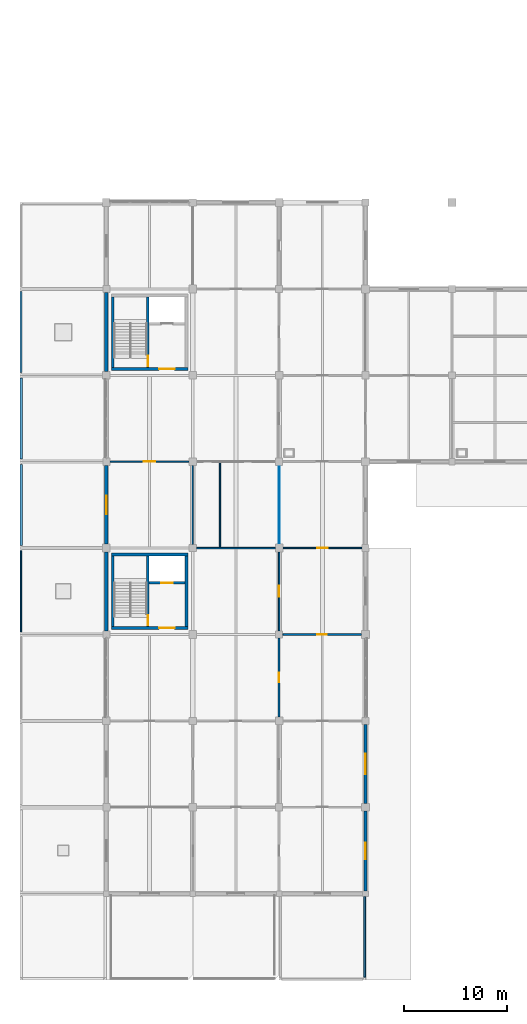
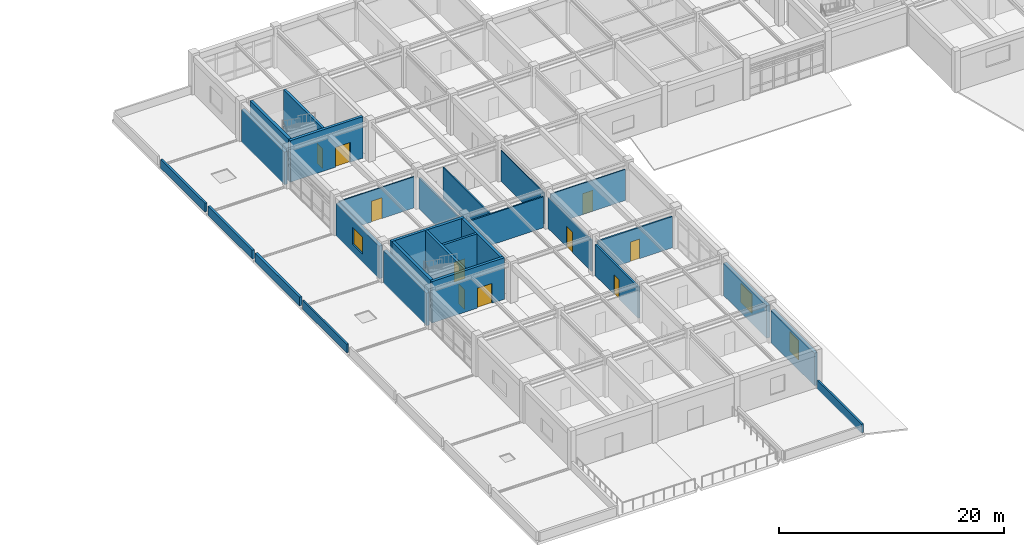
# One storey, part 60 of 78: 28 walls, 10 doors, 3 windows, 13 openings.
"""IFC4 building model written with IfcOpenShell, lengths in metres."""

from ifc_helpers import new_model, si_unit, direction, frame, frame_2d, origin, place, context, subcontext, project, spatial, rectangle, extrude, material, layer, layer_set, type_object, element, fill, save


model = new_model("IFC4")

# Units and contexts
model_context = context("Model", 3, precision=1e-05, world=origin(), true_north=direction((0.0, 1.0)))
body_context = subcontext(model_context, "Body", "Model", "MODEL_VIEW")
ifc_project = project(units=[si_unit("LENGTHUNIT", "METRE"), si_unit("AREAUNIT", "SQUARE_METRE"), si_unit("VOLUMEUNIT", "CUBIC_METRE"), si_unit("PLANEANGLEUNIT", "RADIAN"), si_unit("MASSUNIT", "GRAM", prefix="KILO")], contexts=[model_context])

# Site, building, storey
site_placement = place(None, origin())
site = spatial("IfcSite", under=ifc_project, at=site_placement, CompositionType="ELEMENT")
building_placement = place(site_placement, origin())
building = spatial("IfcBuilding", under=site, at=building_placement, Name="Porcellanite Civic Hall", CompositionType="ELEMENT")
storey_placement = place(building_placement, frame((0.0, 0.0, 10.260009765625)))
storey = spatial("IfcBuildingStorey", under=building, at=storey_placement, Name="L02", CompositionType="ELEMENT", Elevation=10.260009765625)

# Wall, opening, door
ifc_material_1 = material(Name="Concrete N40 (40 MPa)", Category="concrete")
ifc_layer_1 = layer(ifc_material_1, 0.239990234375)
ifc_layer_set_1 = layer_set([ifc_layer_1], Name="Concrete N40 (40 MPa)")
wall_type_1 = type_object("IfcWallType", Name="CW-SH240", PredefinedType="SHEAR", material=ifc_layer_set_1)
wall_1_placement = place(storey_placement, frame((12.43994140625, 34.360107421875, 0.0), z_axis=(0.0, 0.0, 1.0), x_axis=(0.0, 1.0, 0.0)))
wall_1 = element("IfcWall", 1, at=wall_1_placement, inside=storey, type_object=wall_type_1, Name="Core divider C1 L02", PredefinedType="SHEAR", context=body_context, shape_type="SweptSolid", body=[
    extrude(rectangle(XDim=6.8798828125, YDim=0.239990234375, at=frame_2d((3.43994140625, 0.0))), origin(), (0.0, 0.0, 1.0), 4.5),
])
opening_1_placement = place(wall_1_placement, frame((0.1201171875, 0.0, 0.0)))
opening_1 = element("IfcOpeningElement", 2, at=opening_1_placement, cuts=wall_1, Name="Opening FD-C1-L02-ST", PredefinedType="OPENING", context=body_context, shape_type="SweptSolid", body=[
    extrude(rectangle(XDim=1.0, YDim=2.14990234375, at=frame_2d((0.5, 1.074951171875))), frame((0.0, 0.1201171875, 0.0), z_axis=(0.0, -1.0, 0.0), x_axis=(1.0, 0.0, 0.0)), (0.0, 0.0, 1.0), 0.239990234375),
])
ifc_material_2 = material(Name="Fire-rated solid-core hardwood timber", Category="wood")
door_type_1 = type_object("IfcDoorType", Name="DR-FD100", OperationType="NOTDEFINED", PredefinedType="DOOR", material=ifc_material_2)
door_1_placement = place(opening_1_placement, origin())
door_1 = element("IfcDoor", 3, at=door_1_placement, inside=storey, type_object=door_type_1, Name="Fire stair door FD-C1-L02-ST", OperationType="SINGLE_SWING_RIGHT", OverallHeight=2.14990234375, OverallWidth=1.0, PredefinedType="DOOR", context=body_context, shape_type="SweptSolid", body=[
    extrude(rectangle(XDim=1.0, YDim=2.14990234375, at=frame_2d((0.5, 1.074951171875))), frame((0.0, 0.02490234375, 0.0), z_axis=(0.0, -1.0, 0.0), x_axis=(1.0, 0.0, 0.0)), (0.0, 0.0, 1.0), 0.050048828125),
])
fill(opening_1, door_1)

wall_2_placement = place(storey_placement, frame((12.56005859375, 38.6201171875, 0.0), z_axis=(0.0, 0.0, 1.0), x_axis=(1.0, 0.0, 0.0)))
wall_2 = element("IfcWall", 4, at=wall_2_placement, inside=storey, type_object=wall_type_1, Name="Lift shaft wall C1 L02", PredefinedType="SHEAR", context=body_context, shape_type="SweptSolid", body=[
    extrude(rectangle(XDim=3.47998046875, YDim=0.239990234375, at=frame_2d((1.739990234375, 0.0))), origin(), (0.0, 0.0, 1.0), 4.5),
])
opening_2_placement = place(wall_2_placement, frame((1.18994140625, 0.0, 0.0)))
opening_2 = element("IfcOpeningElement", 5, at=opening_2_placement, cuts=wall_2, Name="Opening LD-03", PredefinedType="OPENING", context=body_context, shape_type="SweptSolid", body=[
    extrude(rectangle(XDim=1.10009765625, YDim=2.14990234375, at=frame_2d((0.550048828125, 1.074951171875))), frame((0.0, 0.1201171875, 0.0), z_axis=(0.0, -1.0, 0.0), x_axis=(1.0, 0.0, 0.0)), (0.0, 0.0, 1.0), 0.239990234375),
])
ifc_material_3 = material(Name="Brushed stainless steel 316", Category="steel")
door_type_2 = type_object("IfcDoorType", Name="DR-LD110", OperationType="DOUBLE_DOOR_SLIDING", PredefinedType="DOOR", material=ifc_material_3)
door_2_placement = place(opening_2_placement, origin())
door_2 = element("IfcDoor", 6, at=door_2_placement, inside=storey, type_object=door_type_2, Name="Lift landing sliding door LD-03 L02", OperationType="DOUBLE_DOOR_SLIDING", OverallHeight=2.14990234375, OverallWidth=1.10009765625, PredefinedType="DOOR", context=body_context, shape_type="SweptSolid", body=[
    extrude(rectangle(XDim=1.10009765625, YDim=2.14990234375, at=frame_2d((0.550048828125, 1.074951171875))), frame((0.0, 0.02490234375, 0.0), z_axis=(0.0, -1.0, 0.0), x_axis=(1.0, 0.0, 0.0)), (0.0, 0.0, 1.0), 0.050048828125),
])
fill(opening_2, door_2)

wall_3_placement = place(storey_placement, frame((12.43994140625, 59.56005859375, 0.0), z_axis=(0.0, 0.0, 1.0), x_axis=(0.0, 1.0, 0.0)))
wall_3 = element("IfcWall", 7, at=wall_3_placement, inside=storey, type_object=wall_type_1, Name="Core divider C2 L02", PredefinedType="SHEAR", context=body_context, shape_type="SweptSolid", body=[
    extrude(rectangle(XDim=6.8798828125, YDim=0.239990234375, at=frame_2d((3.43994140625, 0.0))), origin(), (0.0, 0.0, 1.0), 4.5),
])
opening_3_placement = place(wall_3_placement, frame((0.1201171875, 0.0, 0.0)))
opening_3 = element("IfcOpeningElement", 8, at=opening_3_placement, cuts=wall_3, Name="Opening FD-C2-L02-ST", PredefinedType="OPENING", context=body_context, shape_type="SweptSolid", body=[
    extrude(rectangle(XDim=1.0, YDim=2.14990234375, at=frame_2d((0.5, 1.074951171875))), frame((0.0, 0.1201171875, 0.0), z_axis=(0.0, -1.0, 0.0), x_axis=(1.0, 0.0, 0.0)), (0.0, 0.0, 1.0), 0.239990234375),
])
door_3_placement = place(opening_3_placement, origin())
door_3 = element("IfcDoor", 9, at=door_3_placement, inside=storey, type_object=door_type_1, Name="Fire stair door FD-C2-L02-ST", OperationType="SINGLE_SWING_LEFT", OverallHeight=2.14990234375, OverallWidth=1.0, PredefinedType="DOOR", context=body_context, shape_type="SweptSolid", body=[
    extrude(rectangle(XDim=1.0, YDim=2.14990234375, at=frame_2d((0.5, 1.074951171875))), frame((0.0, 0.02490234375, 0.0), z_axis=(0.0, -1.0, 0.0), x_axis=(1.0, 0.0, 0.0)), (0.0, 0.0, 1.0), 0.050048828125),
])
fill(opening_3, door_3)

ifc_material_4 = material(Name="Concrete N40 (40 MPa)", Category="concrete")
ifc_layer_2 = layer(ifc_material_4, 0.280029296875)
ifc_layer_set_2 = layer_set([ifc_layer_2], Name="Concrete N40 (40 MPa)")
wall_type_2 = type_object("IfcWallType", Name="CW-SH280", PredefinedType="SHEAR", material=ifc_layer_set_2)
wall_4_placement = place(storey_placement, frame((16.320068359375, 34.219970703125, 0.0), z_axis=(0.0, 0.0, 1.0), x_axis=(-1.0, 0.0, 0.0)))
wall_4 = element("IfcWall", 10, at=wall_4_placement, inside=storey, type_object=wall_type_2, Name="Core wall C1 L02 S", PredefinedType="SHEAR", context=body_context, shape_type="SweptSolid", body=[
    extrude(rectangle(XDim=7.440185546875, YDim=0.280029296875, at=frame_2d((3.72021484375, 0.0))), origin(), (0.0, 0.0, 1.0), 4.5),
])
opening_4_placement = place(wall_4_placement, frame((1.280029296875, 0.0, 0.0)))
opening_4 = element("IfcOpeningElement", 11, at=opening_4_placement, cuts=wall_4, Name="Opening FD-C1-L02-LB", PredefinedType="OPENING", context=body_context, shape_type="SweptSolid", body=[
    extrude(rectangle(XDim=1.5, YDim=2.14990234375, at=frame_2d((0.75, 1.074951171875))), frame((0.0, 0.14013671875, 0.0), z_axis=(0.0, -1.0, 0.0), x_axis=(1.0, 0.0, 0.0)), (0.0, 0.0, 1.0), 0.280029296875),
])
ifc_material_5 = material(Name="Fire-rated steel and Georgian wired glass", Category="steel")
door_type_3 = type_object("IfcDoorType", Name="DR-FD150", OperationType="DOUBLE_DOOR_SINGLE_SWING", PredefinedType="DOOR", material=ifc_material_5)
door_4_placement = place(opening_4_placement, origin())
door_4 = element("IfcDoor", 12, at=door_4_placement, inside=storey, type_object=door_type_3, Name="Fire lobby double door FD-C1-L02-LB", OperationType="DOUBLE_DOOR_SINGLE_SWING", OverallHeight=2.14990234375, OverallWidth=1.5, PredefinedType="DOOR", context=body_context, shape_type="SweptSolid", body=[
    extrude(rectangle(XDim=1.5, YDim=2.14990234375, at=frame_2d((0.75, 1.074951171875))), frame((0.0, 0.02490234375, 0.0), z_axis=(0.0, -1.0, 0.0), x_axis=(1.0, 0.0, 0.0)), (0.0, 0.0, 1.0), 0.050048828125),
])
fill(opening_4, door_4)

# Walls
wall_5_placement = place(storey_placement, frame((9.02001953125, 34.360107421875, 0.0), z_axis=(0.0, 0.0, 1.0), x_axis=(0.0, 1.0, 0.0)))
element("IfcWall", 13, at=wall_5_placement, inside=storey, type_object=wall_type_2, Name="Core wall C1 L02 W", PredefinedType="SHEAR", context=body_context, shape_type="SweptSolid", body=[
    extrude(rectangle(XDim=6.8798828125, YDim=0.280029296875, at=frame_2d((3.43994140625, 0.0))), origin(), (0.0, 0.0, 1.0), 4.5),
])
wall_6_placement = place(storey_placement, frame((8.8798828125, 41.3798828125, 0.0), z_axis=(0.0, 0.0, 1.0), x_axis=(1.0, 0.0, 0.0)))
element("IfcWall", 14, at=wall_6_placement, inside=storey, type_object=wall_type_2, Name="Core wall C1 L02 N", PredefinedType="SHEAR", context=body_context, shape_type="SweptSolid", body=[
    extrude(rectangle(XDim=7.440185546875, YDim=0.280029296875, at=frame_2d((3.72021484375, 0.0))), origin(), (0.0, 0.0, 1.0), 4.5),
])
wall_7_placement = place(storey_placement, frame((16.179931640625, 41.239990234375, 0.0), z_axis=(0.0, 0.0, 1.0), x_axis=(0.0, -1.0, 0.0)))
element("IfcWall", 15, at=wall_7_placement, inside=storey, type_object=wall_type_2, Name="Core wall C1 L02 E", PredefinedType="SHEAR", context=body_context, shape_type="SweptSolid", body=[
    extrude(rectangle(XDim=6.8798828125, YDim=0.280029296875, at=frame_2d((3.43994140625, 0.0))), origin(), (0.0, 0.0, 1.0), 4.5),
])

# Wall, opening, door
wall_8_placement = place(storey_placement, frame((16.320068359375, 59.419921875, 0.0), z_axis=(0.0, 0.0, 1.0), x_axis=(-1.0, 0.0, 0.0)))
wall_8 = element("IfcWall", 16, at=wall_8_placement, inside=storey, type_object=wall_type_2, Name="Core wall C2 L02 S", PredefinedType="SHEAR", context=body_context, shape_type="SweptSolid", body=[
    extrude(rectangle(XDim=7.440185546875, YDim=0.280029296875, at=frame_2d((3.72021484375, 0.0))), origin(), (0.0, 0.0, 1.0), 4.5),
])
opening_5_placement = place(wall_8_placement, frame((1.280029296875, 0.0, 0.0)))
opening_5 = element("IfcOpeningElement", 17, at=opening_5_placement, cuts=wall_8, Name="Opening FD-C2-L02-LB", PredefinedType="OPENING", context=body_context, shape_type="SweptSolid", body=[
    extrude(rectangle(XDim=1.5, YDim=2.14990234375, at=frame_2d((0.75, 1.074951171875))), frame((0.0, 0.14013671875, 0.0), z_axis=(0.0, -1.0, 0.0), x_axis=(1.0, 0.0, 0.0)), (0.0, 0.0, 1.0), 0.280029296875),
])
door_5_placement = place(opening_5_placement, origin())
door_5 = element("IfcDoor", 18, at=door_5_placement, inside=storey, type_object=door_type_3, Name="Fire lobby double door FD-C2-L02-LB", OperationType="DOUBLE_DOOR_SINGLE_SWING", OverallHeight=2.14990234375, OverallWidth=1.5, PredefinedType="DOOR", context=body_context, shape_type="SweptSolid", body=[
    extrude(rectangle(XDim=1.5, YDim=2.14990234375, at=frame_2d((0.75, 1.074951171875))), frame((0.0, 0.02490234375, 0.0), z_axis=(0.0, -1.0, 0.0), x_axis=(1.0, 0.0, 0.0)), (0.0, 0.0, 1.0), 0.050048828125),
])
fill(opening_5, door_5)

# Walls
wall_9_placement = place(storey_placement, frame((9.02001953125, 59.56005859375, 0.0), z_axis=(0.0, 0.0, 1.0), x_axis=(0.0, 1.0, 0.0)))
element("IfcWall", 19, at=wall_9_placement, inside=storey, type_object=wall_type_2, Name="Core wall C2 L02 W", PredefinedType="SHEAR", context=body_context, shape_type="SweptSolid", body=[
    extrude(rectangle(XDim=6.8798828125, YDim=0.280029296875, at=frame_2d((3.43994140625, 0.0))), origin(), (0.0, 0.0, 1.0), 4.5),
])
ifc_material_6 = material(Name="Precast concrete N40 (40 MPa)", Category="concrete")
ifc_layer_3 = layer(ifc_material_6, 0.320068359375)
ifc_layer_set_3 = layer_set([ifc_layer_3], Name="Precast concrete N40 (40 MPa)")
wall_type_3 = type_object("IfcWallType", Name="EW-COM320", PredefinedType="SOLIDWALL", material=ifc_layer_set_3)
wall_10_placement = place(storey_placement, frame((8.39990234375, 33.950927734375, 0.0), z_axis=(0.0, 0.0, 1.0), x_axis=(0.0, 1.0, 0.0)))
element("IfcWall", 20, at=wall_10_placement, inside=storey, type_object=wall_type_3, Name="Exterior wall L02 W 2-5", PredefinedType="SOLIDWALL", context=body_context, shape_type="SweptSolid", body=[
    extrude(rectangle(XDim=7.673095703125, YDim=0.320068359375, at=frame_2d((3.83642578125, 0.0))), origin(), (0.0, 0.0, 1.0), 3.5400390625),
])

# Wall, opening, window
wall_11_placement = place(storey_placement, frame((8.39990234375, 42.3759765625, 0.0), z_axis=(0.0, 0.0, 1.0), x_axis=(0.0, 1.0, 0.0)))
wall_11 = element("IfcWall", 21, at=wall_11_placement, inside=storey, type_object=wall_type_3, Name="Exterior wall L02 W 2-6", PredefinedType="SOLIDWALL", context=body_context, shape_type="SweptSolid", body=[
    extrude(rectangle(XDim=7.673095703125, YDim=0.320068359375, at=frame_2d((3.83642578125, 0.0))), origin(), (0.0, 0.0, 1.0), 3.5400390625),
])
opening_6_placement = place(wall_11_placement, frame((2.93701171875, 0.0, 0.89990234375)))
opening_6 = element("IfcOpeningElement", 22, at=opening_6_placement, cuts=wall_11, Name="Opening W01", PredefinedType="OPENING", context=body_context, shape_type="SweptSolid", body=[
    extrude(rectangle(XDim=1.800048828125, YDim=1.800048828125, at=frame_2d((0.89990234375, 0.89990234375))), frame((0.0, 0.16015625, 0.0), z_axis=(0.0, -1.0, 0.0), x_axis=(1.0, 0.0, 0.0)), (0.0, 0.0, 1.0), 0.320068359375),
])
ifc_material_7 = material(Name="Cyclone laminated low-E glazing in anodised aluminium frame", Category="aluminium")
window_type_1 = type_object("IfcWindowType", Name="WN-01", PartitioningType="DOUBLE_PANEL_VERTICAL", PredefinedType="WINDOW", material=ifc_material_7)
window_1_placement = place(opening_6_placement, origin())
window_1 = element("IfcWindow", 23, at=window_1_placement, inside=storey, type_object=window_type_1, Name="Window W01 L02 W 2-6", OverallHeight=1.800048828125, OverallWidth=1.800048828125, PartitioningType="SINGLE_PANEL", PredefinedType="WINDOW", context=body_context, shape_type="SweptSolid", body=[
    extrude(rectangle(XDim=1.800048828125, YDim=1.800048828125, at=frame_2d((0.89990234375, 0.89990234375))), frame((0.0, 0.030029296875, 0.0), z_axis=(0.0, -1.0, 0.0), x_axis=(1.0, 0.0, 0.0)), (0.0, 0.0, 1.0), 0.06005859375),
])
fill(opening_6, window_1)

# Wall
wall_12_placement = place(storey_placement, frame((8.39990234375, 59.176025390625, 0.0), z_axis=(0.0, 0.0, 1.0), x_axis=(0.0, 1.0, 0.0)))
element("IfcWall", 24, at=wall_12_placement, inside=storey, type_object=wall_type_3, Name="Exterior wall L02 W 2-8", PredefinedType="SOLIDWALL", context=body_context, shape_type="SweptSolid", body=[
    extrude(rectangle(XDim=7.673095703125, YDim=0.320068359375, at=frame_2d((3.83642578125, 0.0))), origin(), (0.0, 0.0, 1.0), 3.5400390625),
])

# Wall, opening, window
wall_13_placement = place(storey_placement, frame((33.60009765625, 16.424072265625, 0.0), z_axis=(0.0, 0.0, 1.0), x_axis=(0.0, -1.0, 0.0)))
wall_13 = element("IfcWall", 25, at=wall_13_placement, inside=storey, type_object=wall_type_3, Name="Exterior wall L02 E 4-2", PredefinedType="SOLIDWALL", context=body_context, shape_type="SweptSolid", body=[
    extrude(rectangle(XDim=7.748046875, YDim=0.320068359375, at=frame_2d((3.8740234375, 0.0))), origin(), (0.0, 0.0, 1.0), 3.5400390625),
])
opening_7_placement = place(wall_13_placement, frame((3.073974609375, 0.0, 0.89990234375)))
opening_7 = element("IfcOpeningElement", 26, at=opening_7_placement, cuts=wall_13, Name="Opening W05", PredefinedType="OPENING", context=body_context, shape_type="SweptSolid", body=[
    extrude(rectangle(XDim=1.60009765625, YDim=2.10009765625, at=frame_2d((0.800048828125, 1.050048828125))), frame((0.0, 0.16015625, 0.0), z_axis=(0.0, -1.0, 0.0), x_axis=(1.0, 0.0, 0.0)), (0.0, 0.0, 1.0), 0.320068359375),
])
ifc_material_8 = material(Name="Cyclone laminated low-E glazing in anodised aluminium frame", Category="aluminium")
window_type_2 = type_object("IfcWindowType", Name="WN-05", PartitioningType="DOUBLE_PANEL_VERTICAL", PredefinedType="WINDOW", material=ifc_material_8)
window_2_placement = place(opening_7_placement, origin())
window_2 = element("IfcWindow", 27, at=window_2_placement, inside=storey, type_object=window_type_2, Name="Window W05 L02 E 4-2", OverallHeight=2.10009765625, OverallWidth=1.60009765625, PartitioningType="SINGLE_PANEL", PredefinedType="WINDOW", context=body_context, shape_type="SweptSolid", body=[
    extrude(rectangle(XDim=1.60009765625, YDim=2.10009765625, at=frame_2d((0.800048828125, 1.050048828125))), frame((0.0, 0.030029296875, 0.0), z_axis=(0.0, -1.0, 0.0), x_axis=(1.0, 0.0, 0.0)), (0.0, 0.0, 1.0), 0.06005859375),
])
fill(opening_7, window_2)

wall_14_placement = place(storey_placement, frame((33.60009765625, 24.84912109375, 0.0), z_axis=(0.0, 0.0, 1.0), x_axis=(0.0, -1.0, 0.0)))
wall_14 = element("IfcWall", 28, at=wall_14_placement, inside=storey, type_object=wall_type_3, Name="Exterior wall L02 E 4-3", PredefinedType="SOLIDWALL", context=body_context, shape_type="SweptSolid", body=[
    extrude(rectangle(XDim=7.673095703125, YDim=0.320068359375, at=frame_2d((3.83642578125, 0.0))), origin(), (0.0, 0.0, 1.0), 3.5400390625),
])
opening_8_placement = place(wall_14_placement, frame((2.8369140625, 0.0, 0.89990234375)))
opening_8 = element("IfcOpeningElement", 29, at=opening_8_placement, cuts=wall_14, Name="Opening W06", PredefinedType="OPENING", context=body_context, shape_type="SweptSolid", body=[
    extrude(rectangle(XDim=2.0, YDim=2.10009765625, at=frame_2d((1.0, 1.050048828125))), frame((0.0, 0.16015625, 0.0), z_axis=(0.0, -1.0, 0.0), x_axis=(1.0, 0.0, 0.0)), (0.0, 0.0, 1.0), 0.320068359375),
])
ifc_material_9 = material(Name="Cyclone laminated low-E glazing in anodised aluminium frame", Category="aluminium")
window_type_3 = type_object("IfcWindowType", Name="WN-06", PartitioningType="DOUBLE_PANEL_VERTICAL", PredefinedType="WINDOW", material=ifc_material_9)
window_3_placement = place(opening_8_placement, origin())
window_3 = element("IfcWindow", 30, at=window_3_placement, inside=storey, type_object=window_type_3, Name="Window W06 L02 E 4-3", OverallHeight=2.10009765625, OverallWidth=2.0, PartitioningType="SINGLE_PANEL", PredefinedType="WINDOW", context=body_context, shape_type="SweptSolid", body=[
    extrude(rectangle(XDim=2.0, YDim=2.10009765625, at=frame_2d((1.0, 1.050048828125))), frame((0.0, 0.030029296875, 0.0), z_axis=(0.0, -1.0, 0.0), x_axis=(1.0, 0.0, 0.0)), (0.0, 0.0, 1.0), 0.06005859375),
])
fill(opening_8, window_3)

# Wall
ifc_material_10 = material(Name="Insulated acoustic plasterboard on light-gauge steel studs", Category="steel")
ifc_layer_4 = layer(ifc_material_10, 0.094970703125)
ifc_layer_set_4 = layer_set([ifc_layer_4], Name="Insulated acoustic plasterboard on light-gauge steel studs")
wall_type_4 = type_object("IfcWallType", Name="IW-PT095", PredefinedType="PARTITIONING", material=ifc_layer_set_4)
wall_15_placement = place(storey_placement, frame((25.199951171875, 42.376953125, 0.0), z_axis=(0.0, 0.0, 1.0), x_axis=(0.0, 1.0, 0.0)))
element("IfcWall", 31, at=wall_15_placement, inside=storey, type_object=wall_type_4, Name="Partition L02 V 3-6", PredefinedType="PARTITIONING", context=body_context, shape_type="SweptSolid", body=[
    extrude(rectangle(XDim=7.671142578125, YDim=0.094970703125, at=frame_2d((3.83544921875, 0.0))), origin(), (0.0, 0.0, 1.0), 3.369873046875),
])

# Wall, opening, door
ifc_material_11 = material(Name="Insulated acoustic plasterboard on light-gauge steel studs", Category="steel")
ifc_layer_5 = layer(ifc_material_11, 0.114990234375)
ifc_layer_set_5 = layer_set([ifc_layer_5], Name="Insulated acoustic plasterboard on light-gauge steel studs")
wall_type_5 = type_object("IfcWallType", Name="IW-PT115", PredefinedType="PARTITIONING", material=ifc_layer_set_5)
wall_16_placement = place(storey_placement, frame((25.576904296875, 42.0, 0.0), z_axis=(0.0, 0.0, 1.0), x_axis=(1.0, 0.0, 0.0)))
wall_16 = element("IfcWall", 32, at=wall_16_placement, inside=storey, type_object=wall_type_5, Name="Partition L02 H 4-5", PredefinedType="PARTITIONING", context=body_context, shape_type="SweptSolid", body=[
    extrude(rectangle(XDim=7.671142578125, YDim=0.114990234375, at=frame_2d((3.83544921875, 0.0))), origin(), (0.0, 0.0, 1.0), 3.369873046875),
])
opening_9_placement = place(wall_16_placement, frame((3.305908203125, 0.0, 0.0)))
opening_9 = element("IfcOpeningElement", 33, at=opening_9_placement, cuts=wall_16, Name="Opening D-L02-365", PredefinedType="OPENING", context=body_context, shape_type="SweptSolid", body=[
    extrude(rectangle(XDim=1.06005859375, YDim=2.25, at=frame_2d((0.530029296875, 1.125))), frame((0.0, 0.0576171875, 0.0), z_axis=(0.0, -1.0, 0.0), x_axis=(1.0, 0.0, 0.0)), (0.0, 0.0, 1.0), 0.114990234375),
])
ifc_material_12 = material(Name="Solid-core spotted-gum timber", Category="wood")
door_type_4 = type_object("IfcDoorType", Name="DR-RM106", OperationType="NOTDEFINED", PredefinedType="DOOR", material=ifc_material_12)
door_6_placement = place(opening_9_placement, origin())
door_6 = element("IfcDoor", 34, at=door_6_placement, inside=storey, type_object=door_type_4, Name="Interior door D-L02-365", OperationType="SINGLE_SWING_LEFT", OverallHeight=2.25, OverallWidth=1.06005859375, PredefinedType="DOOR", context=body_context, shape_type="SweptSolid", body=[
    extrude(rectangle(XDim=1.06005859375, YDim=2.25, at=frame_2d((0.530029296875, 1.125))), frame((0.0, 0.02490234375, 0.0), z_axis=(0.0, -1.0, 0.0), x_axis=(1.0, 0.0, 0.0)), (0.0, 0.0, 1.0), 0.050048828125),
])
fill(opening_9, door_6)

ifc_material_13 = material(Name="Insulated acoustic plasterboard on light-gauge steel studs", Category="steel")
ifc_layer_6 = layer(ifc_material_13, 0.125)
ifc_layer_set_6 = layer_set([ifc_layer_6], Name="Insulated acoustic plasterboard on light-gauge steel studs")
wall_type_6 = type_object("IfcWallType", Name="IW-PT125", PredefinedType="PARTITIONING", material=ifc_layer_set_6)
wall_17_placement = place(storey_placement, frame((8.751953125, 50.39990234375, 0.0), z_axis=(0.0, 0.0, 1.0), x_axis=(1.0, 0.0, 0.0)))
wall_17 = element("IfcWall", 35, at=wall_17_placement, inside=storey, type_object=wall_type_6, Name="Partition L02 H 2-6", PredefinedType="PARTITIONING", context=body_context, shape_type="SweptSolid", body=[
    extrude(rectangle(XDim=7.671142578125, YDim=0.125, at=frame_2d((3.83544921875, 0.0))), origin(), (0.0, 0.0, 1.0), 3.369873046875),
])
opening_10_placement = place(wall_17_placement, frame((3.2958984375, 0.0, 0.0)))
opening_10 = element("IfcOpeningElement", 36, at=opening_10_placement, cuts=wall_17, Name="Opening D-L02-325", PredefinedType="OPENING", context=body_context, shape_type="SweptSolid", body=[
    extrude(rectangle(XDim=1.080078125, YDim=2.25, at=frame_2d((0.5400390625, 1.125))), frame((0.0, 0.0625, 0.0), z_axis=(0.0, -1.0, 0.0), x_axis=(1.0, 0.0, 0.0)), (0.0, 0.0, 1.0), 0.125),
])
ifc_material_14 = material(Name="Solid-core spotted-gum timber", Category="wood")
door_type_5 = type_object("IfcDoorType", Name="DR-RM108", OperationType="NOTDEFINED", PredefinedType="DOOR", material=ifc_material_14)
door_7_placement = place(opening_10_placement, origin())
door_7 = element("IfcDoor", 37, at=door_7_placement, inside=storey, type_object=door_type_5, Name="Interior door D-L02-325", OperationType="SINGLE_SWING_LEFT", OverallHeight=2.25, OverallWidth=1.080078125, PredefinedType="DOOR", context=body_context, shape_type="SweptSolid", body=[
    extrude(rectangle(XDim=1.080078125, YDim=2.25, at=frame_2d((0.5400390625, 1.125))), frame((0.0, 0.02490234375, 0.0), z_axis=(0.0, -1.0, 0.0), x_axis=(1.0, 0.0, 0.0)), (0.0, 0.0, 1.0), 0.050048828125),
])
fill(opening_10, door_7)

# Walls
wall_18_placement = place(storey_placement, frame((16.800048828125, 42.35205078125, 0.0), z_axis=(0.0, 0.0, 1.0), x_axis=(0.0, 1.0, 0.0)))
element("IfcWall", 38, at=wall_18_placement, inside=storey, type_object=wall_type_6, Name="Partition L02 V 2-6", PredefinedType="PARTITIONING", context=body_context, shape_type="SweptSolid", body=[
    extrude(rectangle(XDim=7.6708984375, YDim=0.125, at=frame_2d((3.83544921875, 0.0))), origin(), (0.0, 0.0, 1.0), 3.369873046875),
])
ifc_material_15 = material(Name="Insulated acoustic plasterboard on light-gauge steel studs", Category="steel")
ifc_layer_7 = layer(ifc_material_15, 0.135009765625)
ifc_layer_set_7 = layer_set([ifc_layer_7], Name="Insulated acoustic plasterboard on light-gauge steel studs")
wall_type_7 = type_object("IfcWallType", Name="IW-PT135", PredefinedType="PARTITIONING", material=ifc_layer_set_7)
wall_19_placement = place(storey_placement, frame((19.449951171875, 42.074462890625, 0.0), z_axis=(0.0, 0.0, 1.0), x_axis=(0.0, 1.0, 0.0)))
element("IfcWall", 39, at=wall_19_placement, inside=storey, type_object=wall_type_7, Name="Partition L02 sub 3-6", PredefinedType="PARTITIONING", context=body_context, shape_type="SweptSolid", body=[
    extrude(rectangle(XDim=8.276123046875, YDim=0.135009765625, at=frame_2d((4.13818359375, 0.0))), origin(), (0.0, 0.0, 1.0), 3.369873046875),
])
ifc_material_16 = material(Name="Insulated acoustic plasterboard on light-gauge steel studs", Category="steel")
ifc_layer_8 = layer(ifc_material_16, 0.14501953125)
ifc_layer_set_8 = layer_set([ifc_layer_8], Name="Insulated acoustic plasterboard on light-gauge steel studs")
wall_type_8 = type_object("IfcWallType", Name="IW-PT145", PredefinedType="PARTITIONING", material=ifc_layer_set_8)
wall_20_placement = place(storey_placement, frame((17.152099609375, 42.0, 0.0), z_axis=(0.0, 0.0, 1.0), x_axis=(1.0, 0.0, 0.0)))
element("IfcWall", 40, at=wall_20_placement, inside=storey, type_object=wall_type_8, Name="Partition L02 H 3-5", PredefinedType="PARTITIONING", context=body_context, shape_type="SweptSolid", body=[
    extrude(rectangle(XDim=7.6708984375, YDim=0.14501953125, at=frame_2d((3.83544921875, 0.0))), origin(), (0.0, 0.0, 1.0), 3.369873046875),
])

# Wall, opening, door
wall_21_placement = place(storey_placement, frame((25.199951171875, 33.951904296875, 0.0), z_axis=(0.0, 0.0, 1.0), x_axis=(0.0, 1.0, 0.0)))
wall_21 = element("IfcWall", 41, at=wall_21_placement, inside=storey, type_object=wall_type_8, Name="Partition L02 V 3-5", PredefinedType="PARTITIONING", context=body_context, shape_type="SweptSolid", body=[
    extrude(rectangle(XDim=7.671142578125, YDim=0.14501953125, at=frame_2d((3.83544921875, 0.0))), origin(), (0.0, 0.0, 1.0), 3.369873046875),
])
opening_11_placement = place(wall_21_placement, frame((3.2958984375, 0.0, 0.0)))
opening_11 = element("IfcOpeningElement", 42, at=opening_11_placement, cuts=wall_21, Name="Opening D-L02-351", PredefinedType="OPENING", context=body_context, shape_type="SweptSolid", body=[
    extrude(rectangle(XDim=1.080078125, YDim=2.25, at=frame_2d((0.5400390625, 1.125))), frame((0.0, 0.072509765625, 0.0), z_axis=(0.0, -1.0, 0.0), x_axis=(1.0, 0.0, 0.0)), (0.0, 0.0, 1.0), 0.14501953125),
])
door_8_placement = place(opening_11_placement, origin())
door_8 = element("IfcDoor", 43, at=door_8_placement, inside=storey, type_object=door_type_5, Name="Interior door D-L02-351", OperationType="SINGLE_SWING_RIGHT", OverallHeight=2.25, OverallWidth=1.080078125, PredefinedType="DOOR", context=body_context, shape_type="SweptSolid", body=[
    extrude(rectangle(XDim=1.080078125, YDim=2.25, at=frame_2d((0.5400390625, 1.125))), frame((0.0, 0.02490234375, 0.0), z_axis=(0.0, -1.0, 0.0), x_axis=(1.0, 0.0, 0.0)), (0.0, 0.0, 1.0), 0.050048828125),
])
fill(opening_11, door_8)

ifc_material_17 = material(Name="Insulated acoustic plasterboard on light-gauge steel studs", Category="steel")
ifc_layer_9 = layer(ifc_material_17, 0.1650390625)
ifc_layer_set_9 = layer_set([ifc_layer_9], Name="Insulated acoustic plasterboard on light-gauge steel studs")
wall_type_9 = type_object("IfcWallType", Name="IW-PT165", PredefinedType="PARTITIONING", material=ifc_layer_set_9)
wall_22_placement = place(storey_placement, frame((25.552001953125, 33.60009765625, 0.0), z_axis=(0.0, 0.0, 1.0), x_axis=(1.0, 0.0, 0.0)))
wall_22 = element("IfcWall", 44, at=wall_22_placement, inside=storey, type_object=wall_type_9, Name="Partition L02 H 4-4", PredefinedType="PARTITIONING", context=body_context, shape_type="SweptSolid", body=[
    extrude(rectangle(XDim=7.6708984375, YDim=0.1650390625, at=frame_2d((3.83544921875, 0.0))), origin(), (0.0, 0.0, 1.0), 3.369873046875),
])
opening_12_placement = place(wall_22_placement, frame((3.37109375, 0.0, 0.0)))
opening_12 = element("IfcOpeningElement", 45, at=opening_12_placement, cuts=wall_22, Name="Opening D-L02-389", PredefinedType="OPENING", context=body_context, shape_type="SweptSolid", body=[
    extrude(rectangle(XDim=0.929931640625, YDim=2.1201171875, at=frame_2d((0.46484375, 1.06005859375))), frame((0.0, 0.08251953125, 0.0), z_axis=(0.0, -1.0, 0.0), x_axis=(1.0, 0.0, 0.0)), (0.0, 0.0, 1.0), 0.1650390625),
])
ifc_material_18 = material(Name="Solid-core spotted-gum timber", Category="wood")
door_type_6 = type_object("IfcDoorType", Name="DR-RM093", OperationType="NOTDEFINED", PredefinedType="DOOR", material=ifc_material_18)
door_9_placement = place(opening_12_placement, origin())
door_9 = element("IfcDoor", 46, at=door_9_placement, inside=storey, type_object=door_type_6, Name="Interior door D-L02-389", OperationType="SINGLE_SWING_LEFT", OverallHeight=2.1201171875, OverallWidth=0.929931640625, PredefinedType="DOOR", context=body_context, shape_type="SweptSolid", body=[
    extrude(rectangle(XDim=0.929931640625, YDim=2.1201171875, at=frame_2d((0.46484375, 1.06005859375))), frame((0.0, 0.02490234375, 0.0), z_axis=(0.0, -1.0, 0.0), x_axis=(1.0, 0.0, 0.0)), (0.0, 0.0, 1.0), 0.050048828125),
])
fill(opening_12, door_9)

ifc_material_19 = material(Name="Insulated acoustic plasterboard on light-gauge steel studs", Category="steel")
ifc_layer_10 = layer(ifc_material_19, 0.195068359375)
ifc_layer_set_10 = layer_set([ifc_layer_10], Name="Insulated acoustic plasterboard on light-gauge steel studs")
wall_type_10 = type_object("IfcWallType", Name="IW-PT195", PredefinedType="PARTITIONING", material=ifc_layer_set_10)
wall_23_placement = place(storey_placement, frame((25.199951171875, 25.576904296875, 0.0), z_axis=(0.0, 0.0, 1.0), x_axis=(0.0, 1.0, 0.0)))
wall_23 = element("IfcWall", 47, at=wall_23_placement, inside=storey, type_object=wall_type_10, Name="Partition L02 V 3-4", PredefinedType="PARTITIONING", context=body_context, shape_type="SweptSolid", body=[
    extrude(rectangle(XDim=7.671142578125, YDim=0.195068359375, at=frame_2d((3.83544921875, 0.0))), origin(), (0.0, 0.0, 1.0), 3.369873046875),
])
opening_13_placement = place(wall_23_placement, frame((3.37109375, 0.0, 0.0)))
opening_13 = element("IfcOpeningElement", 48, at=opening_13_placement, cuts=wall_23, Name="Opening D-L02-350", PredefinedType="OPENING", context=body_context, shape_type="SweptSolid", body=[
    extrude(rectangle(XDim=0.929931640625, YDim=2.1201171875, at=frame_2d((0.46484375, 1.06005859375))), frame((0.0, 0.09765625, 0.0), z_axis=(0.0, -1.0, 0.0), x_axis=(1.0, 0.0, 0.0)), (0.0, 0.0, 1.0), 0.195068359375),
])
door_10_placement = place(opening_13_placement, origin())
door_10 = element("IfcDoor", 49, at=door_10_placement, inside=storey, type_object=door_type_6, Name="Interior door D-L02-350", OperationType="SINGLE_SWING_LEFT", OverallHeight=2.1201171875, OverallWidth=0.929931640625, PredefinedType="DOOR", context=body_context, shape_type="SweptSolid", body=[
    extrude(rectangle(XDim=0.929931640625, YDim=2.1201171875, at=frame_2d((0.46484375, 1.06005859375))), frame((0.0, 0.02490234375, 0.0), z_axis=(0.0, -1.0, 0.0), x_axis=(1.0, 0.0, 0.0)), (0.0, 0.0, 1.0), 0.050048828125),
])
fill(opening_13, door_10)

# Walls
ifc_material_20 = material(Name="Precast concrete N40 (40 MPa)", Category="concrete")
ifc_layer_11 = layer(ifc_material_20, 0.25)
ifc_layer_set_11 = layer_set([ifc_layer_11], Name="Precast concrete N40 (40 MPa)")
wall_type_11 = type_object("IfcWallType", Name="WP-PAR1", PredefinedType="PARAPET", material=ifc_layer_set_11)
wall_24_placement = place(storey_placement, frame((0.125, 42.260009765625, 0.0), z_axis=(0.0, 0.0, 1.0), x_axis=(0.0, 1.0, 0.0)))
element("IfcWall", 50, at=wall_24_placement, inside=storey, type_object=wall_type_11, Name="Roof parapet L02 W 1-6", PredefinedType="PARAPET", context=body_context, shape_type="SweptSolid", body=[
    extrude(rectangle(XDim=7.8798828125, YDim=0.25, at=frame_2d((3.93994140625, 0.0))), origin(), (0.0, 0.0, 1.0), 0.949951171875),
])
ifc_material_21 = material(Name="Precast concrete N40 (40 MPa)", Category="concrete")
ifc_layer_12 = layer(ifc_material_21, 0.22998046875)
ifc_layer_set_12 = layer_set([ifc_layer_12], Name="Precast concrete N40 (40 MPa)")
wall_type_12 = type_object("IfcWallType", Name="WP-PAR2", PredefinedType="PARAPET", material=ifc_layer_set_12)
wall_25_placement = place(storey_placement, frame((0.114990234375, 50.659912109375, 0.0), z_axis=(0.0, 0.0, 1.0), x_axis=(0.0, 1.0, 0.0)))
element("IfcWall", 51, at=wall_25_placement, inside=storey, type_object=wall_type_12, Name="Roof parapet L02 W 1-7", PredefinedType="PARAPET", context=body_context, shape_type="SweptSolid", body=[
    extrude(rectangle(XDim=7.880126953125, YDim=0.22998046875, at=frame_2d((3.93994140625, 0.0))), origin(), (0.0, 0.0, 1.0), 0.949951171875),
])
ifc_material_22 = material(Name="Precast concrete N40 (40 MPa)", Category="concrete")
ifc_layer_13 = layer(ifc_material_22, 0.2099609375)
ifc_layer_set_13 = layer_set([ifc_layer_13], Name="Precast concrete N40 (40 MPa)")
wall_type_13 = type_object("IfcWallType", Name="WP-PAR3", PredefinedType="PARAPET", material=ifc_layer_set_13)
wall_26_placement = place(storey_placement, frame((0.10498046875, 59.06005859375, 0.0), z_axis=(0.0, 0.0, 1.0), x_axis=(0.0, 1.0, 0.0)))
element("IfcWall", 52, at=wall_26_placement, inside=storey, type_object=wall_type_13, Name="Roof parapet L02 W 1-8", PredefinedType="PARAPET", context=body_context, shape_type="SweptSolid", body=[
    extrude(rectangle(XDim=7.8798828125, YDim=0.2099609375, at=frame_2d((3.93994140625, 0.0))), origin(), (0.0, 0.0, 1.0), 0.949951171875),
])
ifc_material_23 = material(Name="Precast concrete N40 (40 MPa)", Category="concrete")
ifc_layer_14 = layer(ifc_material_23, 0.18994140625)
ifc_layer_set_14 = layer_set([ifc_layer_14], Name="Precast concrete N40 (40 MPa)")
wall_type_14 = type_object("IfcWallType", Name="WP-PAR4", PredefinedType="PARAPET", material=ifc_layer_set_14)
wall_27_placement = place(storey_placement, frame((33.5048828125, 8.139892578125, 0.0), z_axis=(0.0, 0.0, 1.0), x_axis=(0.0, -1.0, 0.0)))
element("IfcWall", 53, at=wall_27_placement, inside=storey, type_object=wall_type_14, Name="Roof parapet L02 E 4-1", PredefinedType="PARAPET", context=body_context, shape_type="SweptSolid", body=[
    extrude(rectangle(XDim=7.8798828125, YDim=0.18994140625, at=frame_2d((3.93994140625, 0.0))), origin(), (0.0, 0.0, 1.0), 0.949951171875),
])
ifc_material_24 = material(Name="Precast concrete N40 (40 MPa)", Category="concrete")
ifc_layer_15 = layer(ifc_material_24, 0.169921875)
ifc_layer_set_15 = layer_set([ifc_layer_15], Name="Precast concrete N40 (40 MPa)")
wall_type_15 = type_object("IfcWallType", Name="WP-PAR5", PredefinedType="PARAPET", material=ifc_layer_set_15)
wall_28_placement = place(storey_placement, frame((0.0849609375, 33.860107421875, 0.0), z_axis=(0.0, 0.0, 1.0), x_axis=(0.0, 1.0, 0.0)))
element("IfcWall", 54, at=wall_28_placement, inside=storey, type_object=wall_type_15, Name="Roof parapet L02 W 1-5", PredefinedType="PARAPET", context=body_context, shape_type="SweptSolid", body=[
    extrude(rectangle(XDim=7.8798828125, YDim=0.169921875, at=frame_2d((3.93994140625, 0.0))), origin(), (0.0, 0.0, 1.0), 0.949951171875),
])

save(model, "model.ifc")
